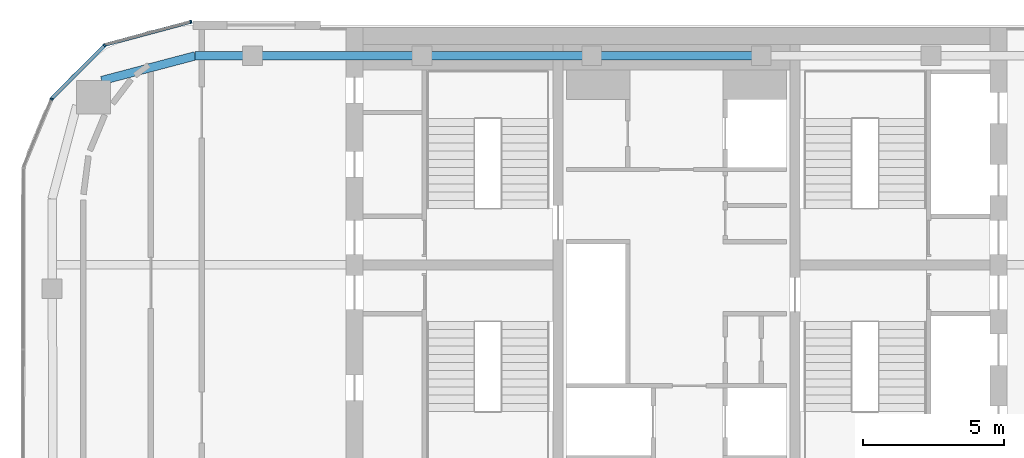
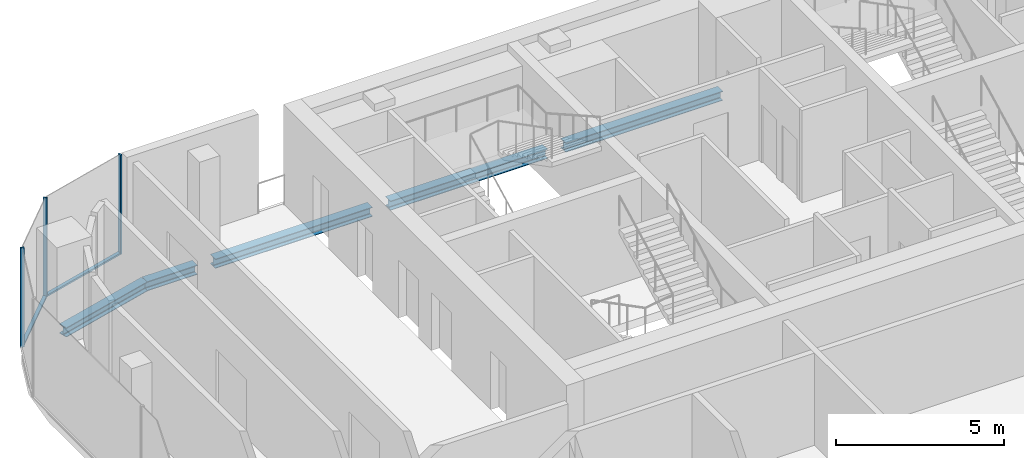
# One storey, part 10 of 19: 5 beams, 5 members, 3 elements without a shape of their own.
"""IFC4 building model written with IfcOpenShell, lengths in metres."""

from ifc_helpers import new_model, si_unit, direction, frame, origin, origin_2d, place, context, subcontext, project, spatial, rectangle, i_section, extrude, material, layer, layer_set, material_profile, profile_set, type_object, element, aggregate, save


model = new_model("IFC4")

# Units and contexts
model_context = context("Model", 3, precision=1e-05, world=origin(), true_north=direction((0.0, 1.0)))
body_context = subcontext(model_context, "Body", "Model", "MODEL_VIEW")
ifc_project = project(units=[si_unit("LENGTHUNIT", "METRE"), si_unit("AREAUNIT", "SQUARE_METRE"), si_unit("VOLUMEUNIT", "CUBIC_METRE"), si_unit("PLANEANGLEUNIT", "RADIAN"), si_unit("MASSUNIT", "GRAM", prefix="KILO")], contexts=[model_context])

# Site, building, storey
site_placement = place(None, origin())
site = spatial("IfcSite", under=ifc_project, at=site_placement, CompositionType="ELEMENT")
building_placement = place(site_placement, origin())
building = spatial("IfcBuilding", under=site, at=building_placement, Name="Marenta Gate Hotel Tower", CompositionType="ELEMENT")
storey_placement = place(building_placement, frame((0.0, 0.0, 274.10009765625)))
storey = spatial("IfcBuildingStorey", under=building, at=storey_placement, Name="L63", CompositionType="ELEMENT", Elevation=274.10009765625)

# Beams
ifc_material_1 = material(Name="Steel S355", Category="steel")
ifc_material_profile_1 = material_profile(ifc_material_1, i_section(OverallWidth=0.300048828125, OverallDepth=0.340087890625, WebThickness=0.011962890625, FlangeThickness=0.021484375, FilletRadius=0.027099609375, at=origin_2d()), Name="HEB 340")
ifc_profile_set_1 = profile_set([ifc_material_profile_1], Name="Steel S355")
beam_type = type_object("IfcBeamType", Name="Edge beam HEB 340", PredefinedType="SPANDREL", material=ifc_profile_set_1)
beam_1_placement = place(storey_placement, frame((-20.34228515625, 14.92529296875, -0.43017578125), z_axis=(0.966766977759, 0.255659169039, 0.0), x_axis=(-0.255659169039, 0.966766977759, 0.0)))
element("IfcBeam", 1, at=beam_1_placement, inside=storey, type_object=beam_type, Name="L63-EB-12", PredefinedType="SPANDREL", context=body_context, shape_type="SweptSolid", body=[
    extrude(i_section(OverallWidth=0.300048828125, OverallDepth=0.340087890625, WebThickness=0.011962890625, FlangeThickness=0.021484375, FilletRadius=0.027099609375, at=origin_2d()), origin(), (0.0, 0.0, 1.0), 3.421630859375),
])
beam_2_placement = place(storey_placement, frame((-17.034423828125, 15.800048828125, -0.43017578125), z_axis=(1.0, 0.0, 0.0), x_axis=(0.0, 1.0, 0.0)))
element("IfcBeam", 2, at=beam_2_placement, inside=storey, type_object=beam_type, Name="L63-EB-13", PredefinedType="SPANDREL", context=body_context, shape_type="SweptSolid", body=[
    extrude(i_section(OverallWidth=0.300048828125, OverallDepth=0.340087890625, WebThickness=0.011962890625, FlangeThickness=0.021484375, FilletRadius=0.027099609375, at=origin_2d()), origin(), (0.0, 0.0, 1.0), 1.717529296875),
])
for number, where, z_axis, x_axis, name in (
    (3, (-14.697021484375, 15.800048828125, -0.43017578125), (1.0, 0.0, 0.0), (0.0, 1.0, 0.0), "L63-EB-14"),
    (4, (-8.694091796875, 15.800048828125, -0.43017578125), (1.0, 0.0, 0.0), (0.0, 1.0, 0.0), "L63-EB-15"),
    (5, (-2.69140625, 15.800048828125, -0.43017578125), (1.0, 0.0, 0.0), (0.0, 1.0, 0.0), "L63-EB-16"),
):
    element("IfcBeam", number, at=place(storey_placement, frame(where, z_axis=z_axis, x_axis=x_axis)), inside=storey, type_object=beam_type, Name=name, PredefinedType="SPANDREL", context=body_context, shape_type="SweptSolid", body=[
        extrude(i_section(OverallWidth=0.300048828125, OverallDepth=0.340087890625, WebThickness=0.011962890625, FlangeThickness=0.021484375, FilletRadius=0.027099609375, at=origin_2d()), origin(), (0.0, 0.0, 1.0), 5.3828125),
    ])

# Curtain wall, member
ifc_material_2 = material(Name="Tinted insulated glass in bronze anodised frame", Category="glass")
ifc_layer = layer(ifc_material_2, 0.1201171875)
ifc_layer_set = layer_set([ifc_layer], Name="Tinted insulated glass in bronze anodised frame")
curtain_wall_type = type_object("IfcCurtainWallType", Name="Tower unitised curtain wall CW1", PredefinedType="NOTDEFINED", material=ifc_layer_set)
curtain_wall_1_placement = place(storey_placement, origin())
curtain_wall_1 = element("IfcCurtainWall", 6, at=curtain_wall_1_placement, inside=storey, type_object=curtain_wall_type, Name="CW1 run G00", PredefinedType="NOTDEFINED")
ifc_material_3 = material(Name="Bronze anodised aluminium", Category="aluminium")
ifc_material_profile_2 = material_profile(ifc_material_3, rectangle(XDim=0.1201171875, YDim=0.06005859375, at=origin_2d()), Name="Mullion CW1 60x120 bronze anodised aluminium")
ifc_profile_set_2 = profile_set([ifc_material_profile_2], Name="Bronze anodised aluminium")
member_type_1 = type_object("IfcMemberType", Name="Mullion CW1 60x120 bronze anodised aluminium", PredefinedType="MULLION", material=ifc_profile_set_2)
member_1_placement = place(storey_placement, frame((-17.185546875, 17.003173828125, 0.0), z_axis=(0.0, 0.0, 1.0), x_axis=(0.258801379183, -0.965930559685, 0.0)))
member_1 = element("IfcMember", 7, at=member_1_placement, type_object=member_type_1, Name="CW1 mullion 1", PredefinedType="MULLION", context=body_context, shape_type="SweptSolid", body=[
    extrude(rectangle(XDim=0.1201171875, YDim=0.06005859375, at=origin_2d()), origin(), (0.0, 0.0, 1.0), 3.599853515625),
])

curtain_wall_2_placement = place(storey_placement, origin())
curtain_wall_2 = element("IfcCurtainWall", 8, at=curtain_wall_2_placement, inside=storey, type_object=curtain_wall_type, Name="CW1 run G01", PredefinedType="NOTDEFINED")
member_2_placement = place(storey_placement, frame((-20.234130859375, 16.1708984375, 0.0), z_axis=(0.0, 0.0, 1.0), x_axis=(0.707106781187, -0.707106781187, 0.0)))
member_2 = element("IfcMember", 9, at=member_2_placement, type_object=member_type_1, Name="CW1 mullion 1", PredefinedType="MULLION", context=body_context, shape_type="SweptSolid", body=[
    extrude(rectangle(XDim=0.1201171875, YDim=0.06005859375, at=origin_2d()), origin(), (0.0, 0.0, 1.0), 3.599853515625),
])

curtain_wall_3_placement = place(storey_placement, origin())
curtain_wall_3 = element("IfcCurtainWall", 10, at=curtain_wall_3_placement, inside=storey, type_object=curtain_wall_type, Name="CW1 run G02", PredefinedType="NOTDEFINED")
member_3_placement = place(storey_placement, frame((-22.115234375, 14.273681640625, 0.0), z_axis=(0.0, 0.0, 1.0), x_axis=(0.923886433266, -0.382666772044, 0.0)))
member_3 = element("IfcMember", 11, at=member_3_placement, type_object=member_type_1, Name="CW1 mullion 1", PredefinedType="MULLION", context=body_context, shape_type="SweptSolid", body=[
    extrude(rectangle(XDim=0.1201171875, YDim=0.06005859375, at=origin_2d()), origin(), (0.0, 0.0, 1.0), 3.599853515625),
])
aggregate(curtain_wall_3, [member_3])

# Member
ifc_material_4 = material(Name="Bronze anodised aluminium", Category="aluminium")
ifc_material_profile_3 = material_profile(ifc_material_4, rectangle(XDim=0.1201171875, YDim=0.06005859375, at=origin_2d()), Name="Transom CW1 60x120 bronze anodised aluminium")
ifc_profile_set_3 = profile_set([ifc_material_profile_3], Name="Bronze anodised aluminium")
member_type_2 = type_object("IfcMemberType", Name="Transom CW1 60x120 bronze anodised aluminium", PredefinedType="USERDEFINED", material=ifc_profile_set_3)
member_4_placement = place(storey_placement, frame((-17.21435546875, 16.995361328125, 0.02978515625), z_axis=(-0.965944541425, -0.258749189162, 0.0), x_axis=(0.258749189162, -0.965944541425, 0.0)))
member_4 = element("IfcMember", 12, at=member_4_placement, type_object=member_type_2, Name="CW1 transom 1.1", ObjectType="TRANSOM", PredefinedType="USERDEFINED", context=body_context, shape_type="SweptSolid", body=[
    extrude(rectangle(XDim=0.1201171875, YDim=0.06005859375, at=origin_2d()), origin(), (0.0, 0.0, 1.0), 3.104248046875),
])

aggregate(curtain_wall_1, [member_1, member_4])

member_5_placement = place(storey_placement, frame((-20.25537109375, 16.149658203125, 0.02978515625), z_axis=(-0.707106781187, -0.707106781187, 0.0), x_axis=(0.707106781187, -0.707106781187, 0.0)))
member_5 = element("IfcMember", 13, at=member_5_placement, type_object=member_type_2, Name="CW1 transom 1.1", ObjectType="TRANSOM", PredefinedType="USERDEFINED", context=body_context, shape_type="SweptSolid", body=[
    extrude(rectangle(XDim=0.1201171875, YDim=0.06005859375, at=origin_2d()), origin(), (0.0, 0.0, 1.0), 2.614013671875),
])

aggregate(curtain_wall_2, [member_2, member_5])

save(model, "model.ifc")
